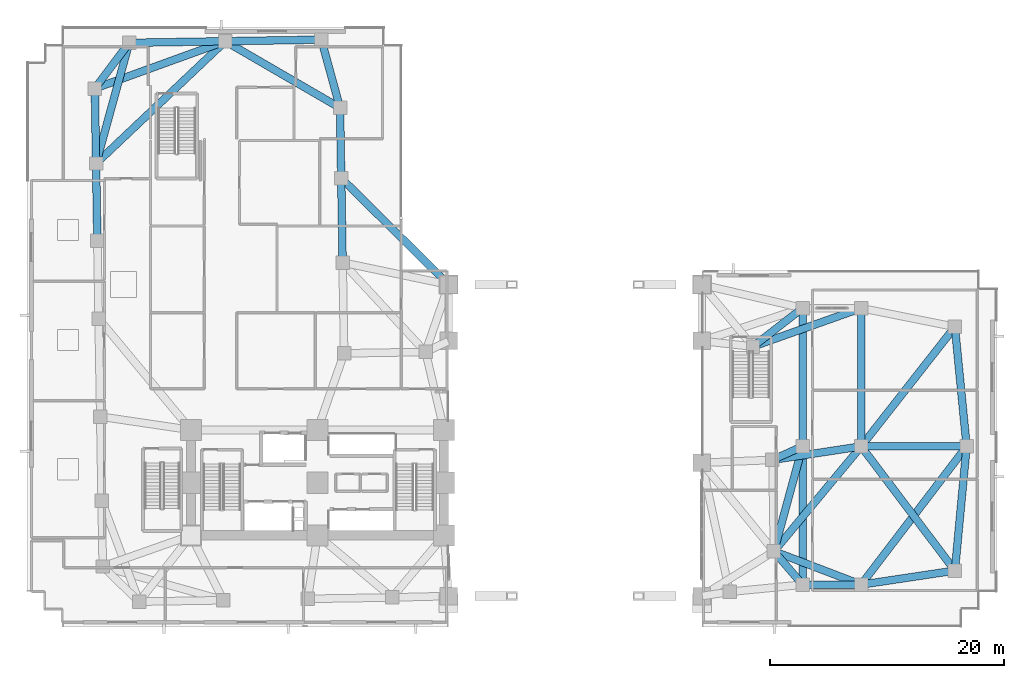
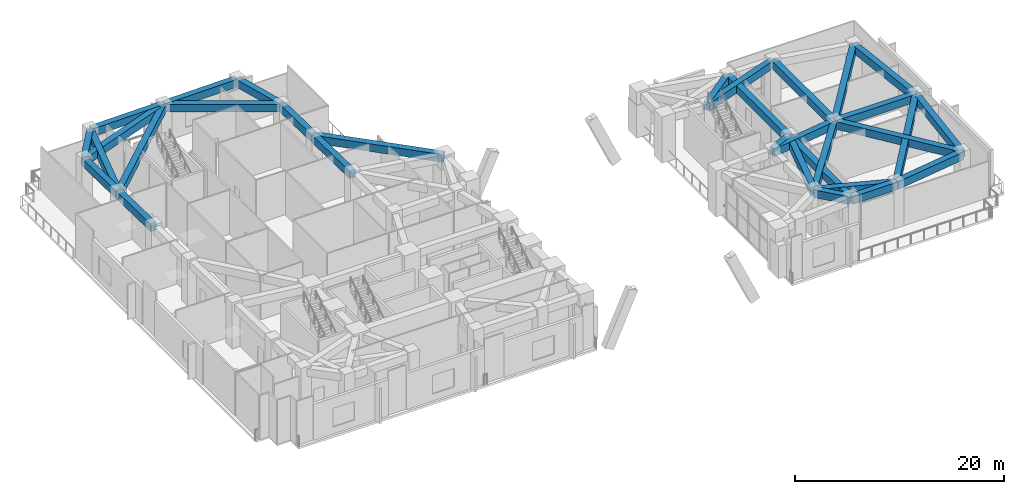
# One storey, part 3 of 18: 32 beams.
"""IFC4 building model written with IfcOpenShell, lengths in metres."""

from ifc_helpers import new_model, si_unit, direction, frame, origin, origin_2d, place, context, subcontext, project, spatial, rectangle, extrude, material, material_profile, profile_set, type_object, element, save


model = new_model("IFC4")

# Units and contexts
model_context = context("Model", 3, precision=1e-05, world=origin(), true_north=direction((0.0, 1.0)))
body_context = subcontext(model_context, "Body", "Model", "MODEL_VIEW")
ifc_project = project(units=[si_unit("LENGTHUNIT", "METRE"), si_unit("AREAUNIT", "SQUARE_METRE"), si_unit("VOLUMEUNIT", "CUBIC_METRE"), si_unit("PLANEANGLEUNIT", "RADIAN"), si_unit("MASSUNIT", "GRAM", prefix="KILO")], contexts=[model_context])

# Site, building, storey
site_placement = place(None, origin())
site = spatial("IfcSite", under=ifc_project, at=site_placement, CompositionType="ELEMENT")
building_placement = place(site_placement, origin())
building = spatial("IfcBuilding", under=site, at=building_placement, Name="Gaonmaruhae Medical Tower", CompositionType="ELEMENT")
storey_placement = place(building_placement, frame((0.0, 0.0, 16.199951171875)))
storey = spatial("IfcBuildingStorey", under=building, at=storey_placement, Name="L03", CompositionType="ELEMENT", Elevation=16.199951171875)

# Beams
ifc_material = material(Name="Concrete C50/60", Category="concrete")
ifc_material_profile = material_profile(ifc_material, rectangle(XDim=0.64990234375, YDim=0.89990234375, at=origin_2d()), Name="RCG-650x900")
ifc_profile_set = profile_set([ifc_material_profile], Name="Concrete C50/60")
beam_type = type_object("IfcBeamType", Name="RG-01 Podium Primary RC Girder (RCG-650x900)", PredefinedType="BEAM", material=ifc_profile_set)
beam_1_placement = place(storey_placement, frame((63.791015625, 6.409423828125, 4.699951171875), z_axis=(0.650934547186, -0.759133858604, 0.0), x_axis=(0.759133858604, 0.650934547186, 0.0)))
element("IfcBeam", 1, at=beam_1_placement, inside=storey, type_object=beam_type, Name="L03 Beam BM-L03-PG025", PredefinedType="BEAM", context=body_context, shape_type="SweptSolid", body=[
    extrude(rectangle(XDim=0.64990234375, YDim=0.89990234375, at=origin_2d()), origin(), (0.0, 0.0, 1.0), 3.65087890625),
])
beam_2_placement = place(storey_placement, frame((63.6748046875, 14.266845703125, 4.699951171875), z_axis=(0.912331175538, 0.409453081735, 0.0), x_axis=(-0.409453081735, 0.912331175538, 0.0)))
element("IfcBeam", 2, at=beam_2_placement, inside=storey, type_object=beam_type, Name="L03 Beam BM-L03-PG027", PredefinedType="BEAM", context=body_context, shape_type="SweptSolid", body=[
    extrude(rectangle(XDim=0.64990234375, YDim=0.89990234375, at=origin_2d()), origin(), (0.0, 0.0, 1.0), 2.7177734375),
])
beam_3_placement = place(storey_placement, frame((63.678466796875, 14.25390625, 4.699951171875), z_axis=(0.988587276062, 0.150649253596, 0.0), x_axis=(-0.150649253596, 0.988587276062, 0.0)))
element("IfcBeam", 3, at=beam_3_placement, inside=storey, type_object=beam_type, Name="L03 Beam BM-L03-PG028", PredefinedType="BEAM", context=body_context, shape_type="SweptSolid", body=[
    extrude(rectangle(XDim=0.64990234375, YDim=0.89990234375, at=origin_2d()), origin(), (0.0, 0.0, 1.0), 7.558349609375),
])
beam_4_placement = place(storey_placement, frame((62.008056640625, 23.950927734375, 4.699951171875), z_axis=(0.790374549581, 0.612623923279, 0.0), x_axis=(-0.612623923279, 0.790374549581, 0.0)))
element("IfcBeam", 4, at=beam_4_placement, inside=storey, type_object=beam_type, Name="L03 Beam BM-L03-PG029", PredefinedType="BEAM", context=body_context, shape_type="SweptSolid", body=[
    extrude(rectangle(XDim=0.64990234375, YDim=0.89990234375, at=origin_2d()), origin(), (0.0, 0.0, 1.0), 5.253662109375),
])
beam_5_placement = place(storey_placement, frame((62.015625, 23.93701171875, 4.699951171875), z_axis=(0.942294313395, 0.334785643275, 0.0), x_axis=(-0.334785643275, 0.942294313395, 0.0)))
element("IfcBeam", 5, at=beam_5_placement, inside=storey, type_object=beam_type, Name="L03 Beam BM-L03-PG030", PredefinedType="BEAM", context=body_context, shape_type="SweptSolid", body=[
    extrude(rectangle(XDim=0.64990234375, YDim=0.89990234375, at=origin_2d()), origin(), (0.0, 0.0, 1.0), 9.69677734375),
])
beam_6_placement = place(storey_placement, frame((26.944091796875, 31.140380859375, 4.699951171875), z_axis=(-0.016608204893, 0.999862074253, 0.0), x_axis=(-0.999862074253, -0.016608204893, 0.0)))
element("IfcBeam", 6, at=beam_6_placement, inside=storey, type_object=beam_type, Name="L03 Beam BM-L03-PG035", PredefinedType="BEAM", context=body_context, shape_type="SweptSolid", body=[
    extrude(rectangle(XDim=0.64990234375, YDim=0.89990234375, at=origin_2d()), origin(), (0.0, 0.0, 1.0), 7.10009765625),
])
beam_7_placement = place(storey_placement, frame((26.824462890625, 38.339599609375, 4.699951171875), z_axis=(-0.016551967997, 0.999863006794, 0.0), x_axis=(-0.999863006794, -0.016551967997, 0.0)))
element("IfcBeam", 7, at=beam_7_placement, inside=storey, type_object=beam_type, Name="L03 Beam BM-L03-PG037", PredefinedType="BEAM", context=body_context, shape_type="SweptSolid", body=[
    extrude(rectangle(XDim=0.64990234375, YDim=0.89990234375, at=origin_2d()), origin(), (0.0, 0.0, 1.0), 5.89990234375),
])
beam_8_placement = place(storey_placement, frame((26.86083984375, 38.25439453125, 4.699951171875), z_axis=(0.710394933366, -0.703803267005, 0.0), x_axis=(0.703803267005, 0.710394933366, 0.0)))
element("IfcBeam", 8, at=beam_8_placement, inside=storey, type_object=beam_type, Name="L03 Beam BM-L03-PG038", PredefinedType="BEAM", context=body_context, shape_type="SweptSolid", body=[
    extrude(rectangle(XDim=0.64990234375, YDim=0.89990234375, at=origin_2d()), origin(), (0.0, 0.0, 1.0), 12.815185546875),
])
beam_9_placement = place(storey_placement, frame((26.712646484375, 44.3369140625, 4.699951171875), z_axis=(-0.264400662099, 0.964412924987, 0.0), x_axis=(-0.964412924987, -0.264400662099, 0.0)))
element("IfcBeam", 9, at=beam_9_placement, inside=storey, type_object=beam_type, Name="L03 Beam BM-L03-PG039", PredefinedType="BEAM", context=body_context, shape_type="SweptSolid", body=[
    extrude(rectangle(XDim=0.64990234375, YDim=0.89990234375, at=origin_2d()), origin(), (0.0, 0.0, 1.0), 5.939208984375),
])
beam_10_placement = place(storey_placement, frame((26.6826171875, 44.313720703125, 4.699951171875), z_axis=(-0.864761531189, 0.502182729865, 0.0), x_axis=(-0.502182729865, -0.864761531189, 0.0)))
element("IfcBeam", 10, at=beam_10_placement, inside=storey, type_object=beam_type, Name="L03 Beam BM-L03-PG040", PredefinedType="BEAM", context=body_context, shape_type="SweptSolid", body=[
    extrude(rectangle(XDim=0.64990234375, YDim=0.89990234375, at=origin_2d()), origin(), (0.0, 0.0, 1.0), 11.227294921875),
])
for number, where, z_axis, x_axis, name in (
    (11, (25.0791015625, 50.112060546875, 4.699951171875), (-0.999863083435, -0.016547337678, 0.0), (0.016547337678, -0.999863083435, 0.0), "L03 Beam BM-L03-PG041"),
    (12, (16.88037109375, 49.976318359375, 4.699951171875), (-0.999862584298, -0.016577470273, 0.0), (0.016577470273, -0.999862584298, 0.0), "L03 Beam BM-L03-PG042"),
):
    element("IfcBeam", number, at=place(storey_placement, frame(where, z_axis=z_axis, x_axis=x_axis)), inside=storey, type_object=beam_type, Name=name, PredefinedType="BEAM", context=body_context, shape_type="SweptSolid", body=[
        extrude(rectangle(XDim=0.64990234375, YDim=0.89990234375, at=origin_2d()), origin(), (0.0, 0.0, 1.0), 8.10009765625),
    ])
beam_11_placement = place(storey_placement, frame((16.88330078125, 49.9599609375, 4.699951171875), z_axis=(-0.940171612952, -0.340701244788, 0.0), x_axis=(0.340701244788, -0.940171612952, 0.0)))
element("IfcBeam", 13, at=beam_11_placement, inside=storey, type_object=beam_type, Name="L03 Beam BM-L03-PG043", PredefinedType="BEAM", context=body_context, shape_type="SweptSolid", body=[
    extrude(rectangle(XDim=0.64990234375, YDim=0.89990234375, at=origin_2d()), origin(), (0.0, 0.0, 1.0), 11.743408203125),
])
beam_12_placement = place(storey_placement, frame((8.701416015625, 49.80126953125, 4.699951171875), z_axis=(-0.601502313354, -0.798871057824, 0.0), x_axis=(0.798871057824, -0.601502313354, 0.0)))
element("IfcBeam", 14, at=beam_12_placement, inside=storey, type_object=beam_type, Name="L03 Beam BM-L03-PG044", PredefinedType="BEAM", context=body_context, shape_type="SweptSolid", body=[
    extrude(rectangle(XDim=0.64990234375, YDim=0.89990234375, at=origin_2d()), origin(), (0.0, 0.0, 1.0), 4.781005859375),
])
beam_13_placement = place(storey_placement, frame((8.71826171875, 49.79296875, 4.699951171875), z_axis=(-0.264954280581, -0.964260975671, 0.0), x_axis=(0.964260975671, -0.264954280581, 0.0)))
element("IfcBeam", 15, at=beam_13_placement, inside=storey, type_object=beam_type, Name="L03 Beam BM-L03-PG045", PredefinedType="BEAM", context=body_context, shape_type="SweptSolid", body=[
    extrude(rectangle(XDim=0.64990234375, YDim=0.89990234375, at=origin_2d()), origin(), (0.0, 0.0, 1.0), 10.580078125),
])
beam_14_placement = place(storey_placement, frame((5.79638671875, 45.891845703125, 4.699951171875), z_axis=(0.016586222393, -0.999862439152, 0.0), x_axis=(0.999862439152, 0.016586222393, 0.0)))
element("IfcBeam", 16, at=beam_14_placement, inside=storey, type_object=beam_type, Name="L03 Beam BM-L03-PG046", PredefinedType="BEAM", context=body_context, shape_type="SweptSolid", body=[
    extrude(rectangle(XDim=0.64990234375, YDim=0.89990234375, at=origin_2d()), origin(), (0.0, 0.0, 1.0), 6.300048828125),
])
beam_15_placement = place(storey_placement, frame((5.902587890625, 39.492919921875, 4.699951171875), z_axis=(0.016563596449, -0.999862814226, 0.0), x_axis=(0.999862814226, 0.016563596449, 0.0)))
element("IfcBeam", 17, at=beam_15_placement, inside=storey, type_object=beam_type, Name="L03 Beam BM-L03-PG047", PredefinedType="BEAM", context=body_context, shape_type="SweptSolid", body=[
    extrude(rectangle(XDim=0.64990234375, YDim=0.89990234375, at=origin_2d()), origin(), (0.0, 0.0, 1.0), 6.500244140625),
])
beam_16_placement = place(storey_placement, frame((5.938232421875, 39.5771484375, 4.699951171875), z_axis=(0.726406385449, 0.687265424111, 0.0), x_axis=(-0.687265424111, 0.726406385449, 0.0)))
element("IfcBeam", 18, at=beam_16_placement, inside=storey, type_object=beam_type, Name="L03 Beam BM-L03-PG048", PredefinedType="BEAM", context=body_context, shape_type="SweptSolid", body=[
    extrude(rectangle(XDim=0.64990234375, YDim=0.89990234375, at=origin_2d()), origin(), (0.0, 0.0, 1.0), 15.082275390625),
])
beam_17_placement = place(storey_placement, frame((66.25, 3.60009765625, 4.699951171875), z_axis=(1.0, 0.0, 0.0), x_axis=(0.0, 1.0, 0.0)))
element("IfcBeam", 19, at=beam_17_placement, inside=storey, type_object=beam_type, Name="L03 Beam BM-L03-PG058", PredefinedType="BEAM", context=body_context, shape_type="SweptSolid", body=[
    extrude(rectangle(XDim=0.64990234375, YDim=0.89990234375, at=origin_2d()), origin(), (0.0, 0.0, 1.0), 4.89990234375),
])
beam_18_placement = place(storey_placement, frame((66.199951171875, 3.64990234375, 4.699951171875), z_axis=(0.0, 1.0, 0.0), x_axis=(-1.0, 0.0, 0.0)))
element("IfcBeam", 20, at=beam_18_placement, inside=storey, type_object=beam_type, Name="L03 Beam BM-L03-PG059", PredefinedType="BEAM", context=body_context, shape_type="SweptSolid", body=[
    extrude(rectangle(XDim=0.64990234375, YDim=0.89990234375, at=origin_2d()), origin(), (0.0, 0.0, 1.0), 11.7001953125),
])
beam_19_placement = place(storey_placement, frame((71.1533203125, 3.617919921875, 4.699951171875), z_axis=(-0.933959250305, 0.357379516438, 0.0), x_axis=(-0.357379516438, -0.933959250305, 0.0)))
element("IfcBeam", 21, at=beam_19_placement, inside=storey, type_object=beam_type, Name="L03 Beam BM-L03-PG060", PredefinedType="BEAM", context=body_context, shape_type="SweptSolid", body=[
    extrude(rectangle(XDim=0.64990234375, YDim=0.89990234375, at=origin_2d()), origin(), (0.0, 0.0, 1.0), 7.86767578125),
])
beam_20_placement = place(storey_placement, frame((71.24951171875, 3.607421875, 4.699951171875), z_axis=(0.988938370032, 0.148327004546, 0.0), x_axis=(-0.148327004546, 0.988938370032, 0.0)))
element("IfcBeam", 22, at=beam_20_placement, inside=storey, type_object=beam_type, Name="L03 Beam BM-L03-PG061", PredefinedType="BEAM", context=body_context, shape_type="SweptSolid", body=[
    extrude(rectangle(XDim=0.64990234375, YDim=0.89990234375, at=origin_2d()), origin(), (0.0, 0.0, 1.0), 7.989501953125),
])
beam_21_placement = place(storey_placement, frame((66.186767578125, 15.351806640625, 4.699951171875), z_axis=(-0.263119656269, -0.964763207469, 0.0), x_axis=(0.964763207469, -0.263119656269, 0.0)))
element("IfcBeam", 23, at=beam_21_placement, inside=storey, type_object=beam_type, Name="L03 Beam BM-L03-PG062", PredefinedType="BEAM", context=body_context, shape_type="SweptSolid", body=[
    extrude(rectangle(XDim=0.64990234375, YDim=0.89990234375, at=origin_2d()), origin(), (0.0, 0.0, 1.0), 9.179443359375),
])
beam_22_placement = place(storey_placement, frame((66.199951171875, 15.449951171875, 4.699951171875), z_axis=(0.0, 1.0, 0.0), x_axis=(-1.0, 0.0, 0.0)))
element("IfcBeam", 24, at=beam_22_placement, inside=storey, type_object=beam_type, Name="L03 Beam BM-L03-PG063", PredefinedType="BEAM", context=body_context, shape_type="SweptSolid", body=[
    extrude(rectangle(XDim=0.64990234375, YDim=0.89990234375, at=origin_2d()), origin(), (0.0, 0.0, 1.0), 11.699951171875),
])
beam_23_placement = place(storey_placement, frame((71.25, 15.39990234375, 4.699951171875), z_axis=(1.0, 0.0, 0.0), x_axis=(0.0, 1.0, 0.0)))
element("IfcBeam", 25, at=beam_23_placement, inside=storey, type_object=beam_type, Name="L03 Beam BM-L03-PG064", PredefinedType="BEAM", context=body_context, shape_type="SweptSolid", body=[
    extrude(rectangle(XDim=0.64990234375, YDim=0.89990234375, at=origin_2d()), origin(), (0.0, 0.0, 1.0), 8.89990234375),
])
beam_24_placement = place(storey_placement, frame((71.16796875, 15.361572265625, 4.699951171875), z_axis=(-0.639224730156, -0.76901998957, 0.0), x_axis=(0.76901998957, -0.639224730156, 0.0)))
element("IfcBeam", 26, at=beam_24_placement, inside=storey, type_object=beam_type, Name="L03 Beam BM-L03-PG065", PredefinedType="BEAM", context=body_context, shape_type="SweptSolid", body=[
    extrude(rectangle(XDim=0.64990234375, YDim=0.89990234375, at=origin_2d()), origin(), (0.0, 0.0, 1.0), 11.54150390625),
])
beam_25_placement = place(storey_placement, frame((71.199951171875, 27.14990234375, 4.699951171875), z_axis=(0.0, -1.0, 0.0), x_axis=(1.0, 0.0, 0.0)))
element("IfcBeam", 27, at=beam_25_placement, inside=storey, type_object=beam_type, Name="L03 Beam BM-L03-PG069", PredefinedType="BEAM", context=body_context, shape_type="SweptSolid", body=[
    extrude(rectangle(XDim=0.64990234375, YDim=0.89990234375, at=origin_2d()), origin(), (0.0, 0.0, 1.0), 11.699951171875),
])
beam_26_placement = place(storey_placement, frame((79.20458984375, 4.849853515625, 4.699951171875), z_axis=(0.093932984059, 0.995578522521, 0.0), x_axis=(-0.995578522521, 0.093932984059, 0.0)))
element("IfcBeam", 28, at=beam_26_placement, inside=storey, type_object=beam_type, Name="L03 Beam BM-L03-PG070", PredefinedType="BEAM", context=body_context, shape_type="SweptSolid", body=[
    extrude(rectangle(XDim=0.64990234375, YDim=0.89990234375, at=origin_2d()), origin(), (0.0, 0.0, 1.0), 10.547119140625),
])
beam_27_placement = place(storey_placement, frame((79.169921875, 4.83984375, 4.699951171875), z_axis=(-0.602400893863, 0.798193687693, 0.0), x_axis=(-0.798193687693, -0.602400893863, 0.0)))
element("IfcBeam", 29, at=beam_27_placement, inside=storey, type_object=beam_type, Name="L03 Beam BM-L03-PG071", PredefinedType="BEAM", context=body_context, shape_type="SweptSolid", body=[
    extrude(rectangle(XDim=0.64990234375, YDim=0.89990234375, at=origin_2d()), origin(), (0.0, 0.0, 1.0), 13.18017578125),
])
beam_28_placement = place(storey_placement, frame((80.195068359375, 15.44970703125, 4.699951171875), z_axis=(-0.097569555279, 0.995228708329, 0.0), x_axis=(-0.995228708329, -0.097569555279, 0.0)))
element("IfcBeam", 30, at=beam_28_placement, inside=storey, type_object=beam_type, Name="L03 Beam BM-L03-PG072", PredefinedType="BEAM", context=body_context, shape_type="SweptSolid", body=[
    extrude(rectangle(XDim=0.64990234375, YDim=0.89990234375, at=origin_2d()), origin(), (0.0, 0.0, 1.0), 10.14892578125),
])
beam_29_placement = place(storey_placement, frame((80.169677734375, 15.3603515625, 4.699951171875), z_axis=(-0.606446336319, -0.79512441867, 0.0), x_axis=(0.79512441867, -0.606446336319, 0.0)))
element("IfcBeam", 31, at=beam_29_placement, inside=storey, type_object=beam_type, Name="L03 Beam BM-L03-PG073", PredefinedType="BEAM", context=body_context, shape_type="SweptSolid", body=[
    extrude(rectangle(XDim=0.64990234375, YDim=0.89990234375, at=origin_2d()), origin(), (0.0, 0.0, 1.0), 14.74072265625),
])
beam_30_placement = place(storey_placement, frame((79.169189453125, 25.560546875, 4.699951171875), z_axis=(-0.617145695681, -0.786848899282, 0.0), x_axis=(0.786848899282, -0.617145695681, 0.0)))
element("IfcBeam", 32, at=beam_30_placement, inside=storey, type_object=beam_type, Name="L03 Beam BM-L03-PG074", PredefinedType="BEAM", context=body_context, shape_type="SweptSolid", body=[
    extrude(rectangle(XDim=0.64990234375, YDim=0.89990234375, at=origin_2d()), origin(), (0.0, 0.0, 1.0), 12.86279296875),
])

save(model, "model.ifc")
